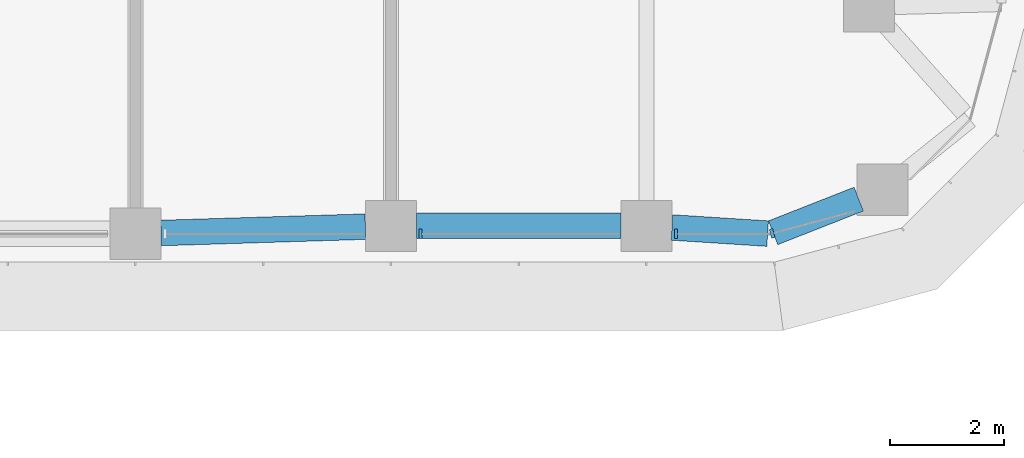
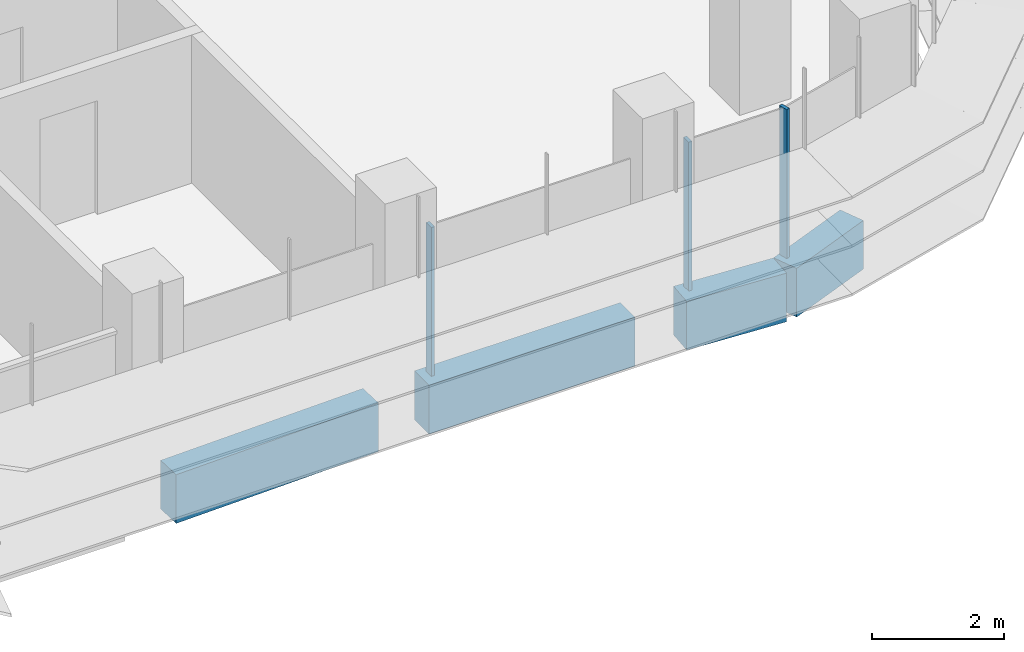
# One storey, part 5 of 22: 4 beams, 3 members, 2 elements without a shape of their own.
"""IFC4 building model written with IfcOpenShell, lengths in metres."""

from ifc_helpers import new_model, si_unit, direction, frame, origin, origin_2d, place, context, subcontext, project, spatial, polyline, rectangle, outline, extrude, source, transform, mapped, material, material_profile, profile_set, type_object, element, aggregate, save


model = new_model("IFC4")

# Units and contexts
model_context = context("Model", 3, precision=1e-05, world=origin(), true_north=direction((0.0, 1.0)))
body_context = subcontext(model_context, "Body", "Model", "MODEL_VIEW")
ifc_project = project(units=[si_unit("LENGTHUNIT", "METRE"), si_unit("AREAUNIT", "SQUARE_METRE"), si_unit("VOLUMEUNIT", "CUBIC_METRE"), si_unit("PLANEANGLEUNIT", "RADIAN"), si_unit("MASSUNIT", "GRAM", prefix="KILO")], contexts=[model_context])

# Site, building, storey
site_placement = place(None, origin())
site = spatial("IfcSite", under=ifc_project, at=site_placement, CompositionType="ELEMENT")
building_placement = place(site_placement, origin())
building = spatial("IfcBuilding", under=site, at=building_placement, Name="Zarbagh Exchange Tower", CompositionType="ELEMENT")
storey_placement = place(building_placement, frame((0.0, 0.0, 132.199951171875)))
storey = spatial("IfcBuildingStorey", under=building, at=storey_placement, Name="L31", CompositionType="ELEMENT", Elevation=132.199951171875)

# Beams
ifc_material_1 = material(Name="Concrete C60/75", Category="concrete")
ifc_material_profile = material_profile(ifc_material_1, rectangle(XDim=0.449951171875, YDim=0.89990234375, at=origin_2d()), Name="RC spandrel beam 450 x 900 C60/75")
ifc_profile_set = profile_set([ifc_material_profile], Name="Concrete C60/75")
beam_type = type_object("IfcBeamType", Name="RC spandrel beam 450 x 900 C60/75", PredefinedType="SPANDREL", material=ifc_profile_set)
beam_1_placement = place(storey_placement, frame((28.489013671875, -5.639404296875, -0.599853515625), z_axis=(-0.930806421439, -0.365512524832, 0.0), x_axis=(0.365512524832, -0.930806421439, 0.0)))
element("IfcBeam", 1, at=beam_1_placement, inside=storey, type_object=beam_type, Name="RC spandrel beam", PredefinedType="SPANDREL", context=body_context, shape_type="SweptSolid", body=[
    extrude(rectangle(XDim=0.449951171875, YDim=0.89990234375, at=origin_2d()), origin(), (0.0, 0.0, 1.0), 1.620361328125),
])
beam_2_placement = place(storey_placement, frame((26.88427734375, -6.246826171875, -0.599853515625), z_axis=(-0.997955762545, 0.063908497109, 0.0), x_axis=(-0.063908497109, -0.997955762545, 0.0)))
element("IfcBeam", 2, at=beam_2_placement, inside=storey, type_object=beam_type, Name="RC spandrel beam", PredefinedType="SPANDREL", context=body_context, shape_type="SweptSolid", body=[
    extrude(rectangle(XDim=0.449951171875, YDim=0.89990234375, at=origin_2d()), origin(), (0.0, 0.0, 1.0), 1.6884765625),
])
beam_3_placement = place(storey_placement, frame((24.300048828125, -6.110107421875, -0.599853515625), z_axis=(-1.0, 0.0, 0.0), x_axis=(0.0, -1.0, 0.0)))
element("IfcBeam", 3, at=beam_3_placement, inside=storey, type_object=beam_type, Name="RC spandrel beam", PredefinedType="SPANDREL", context=body_context, shape_type="SweptSolid", body=[
    extrude(rectangle(XDim=0.449951171875, YDim=0.89990234375, at=origin_2d()), origin(), (0.0, 0.0, 1.0), 3.60009765625),
])
beam_4_placement = place(storey_placement, frame((19.80029296875, -6.1240234375, -0.599853515625), z_axis=(-0.999516035224, -0.031107801747, 0.0), x_axis=(0.031107801747, -0.999516035224, 0.0)))
element("IfcBeam", 4, at=beam_4_placement, inside=storey, type_object=beam_type, Name="RC spandrel beam", PredefinedType="SPANDREL", context=body_context, shape_type="SweptSolid", body=[
    extrude(rectangle(XDim=0.449951171875, YDim=0.89990234375, at=origin_2d()), origin(), (0.0, 0.0, 1.0), 3.602294921875),
])

# Curtain wall, members
ifc_material_2 = material(Name="Anodised aluminium frame and glazing", Category="aluminium")
curtain_wall_type = type_object("IfcCurtainWallType", Name="CWA Ribbon glazing, lower zones", PredefinedType="NOTDEFINED", material=ifc_material_2)
curtain_wall_1_placement = place(storey_placement, origin())
curtain_wall_1 = element("IfcCurtainWall", 5, at=curtain_wall_1_placement, inside=storey, type_object=curtain_wall_type, Name="CWA58 curtain wall", PredefinedType="NOTDEFINED")
ifc_material_3 = material(Name="Anodised aluminium frame", Category="aluminium")
member_type = type_object("IfcMemberType", Name="MUA Mullion, anodised aluminium frame", PredefinedType="MULLION", material=ifc_material_3)
shared_shape = source(origin(), body_context, "Body", "SweptSolid", [
    extrude(outline(polyline([(0.0, -0.080078125), (0.06005859375, -0.080078125), (0.06005859375, 0.080078125), (0.0, 0.080078125), (0.0, -0.080078125)])), origin(), (0.0, 0.0, 1.0), 2.75),
])
placement = place(storey_placement, origin())
member_1 = element("IfcMember", 6, at=placement, type_object=member_type, Name="CWA58 mullion 3.1", PredefinedType="MULLION", context=body_context, shape_type="MappedRepresentation", body=[
    mapped(shared_shape, transform((20.739990234375, -6.25, 0.0), x_axis=(1.0, 0.0, 0.0), y_axis=(0.0, 1.0, 0.0), z_axis=(0.0, 0.0, 1.0))),
])
member_2 = element("IfcMember", 7, at=placement, type_object=member_type, Name="CWA58 mullion 4.1", PredefinedType="MULLION", context=body_context, shape_type="MappedRepresentation", body=[
    mapped(shared_shape, transform((25.239990234375, -6.25, 0.0), x_axis=(1.0, 0.0, 0.0), y_axis=(0.0, 1.0, 0.0), z_axis=(0.0, 0.0, 1.0))),
])
aggregate(curtain_wall_1, [member_1, member_2])

# Curtain wall, member
curtain_wall_2_placement = place(storey_placement, origin())
curtain_wall_2 = element("IfcCurtainWall", 8, at=curtain_wall_2_placement, inside=storey, type_object=curtain_wall_type, Name="CWA59 curtain wall", PredefinedType="NOTDEFINED")
member_3 = element("IfcMember", 9, at=placement, type_object=member_type, Name="CWA59 mullion 1.1", PredefinedType="MULLION", context=body_context, shape_type="MappedRepresentation", body=[
    mapped(shared_shape, transform((26.93408203125, -6.25, 0.0), x_axis=(0.965924289636, 0.258824779902, 0.0), y_axis=(-0.258824779902, 0.965924289636, 0.0), z_axis=(0.0, 0.0, 1.0))),
])
aggregate(curtain_wall_2, [member_3])

save(model, "model.ifc")
